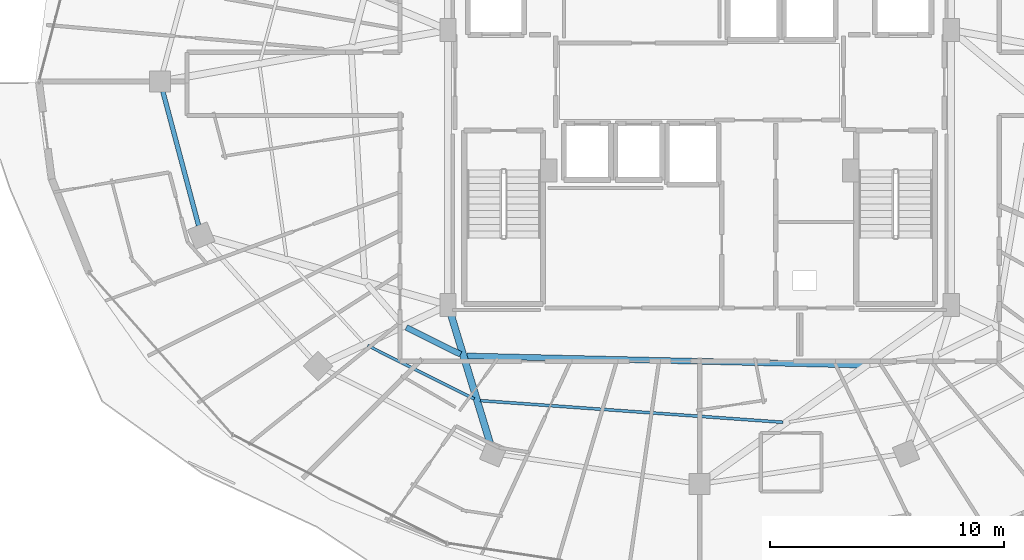
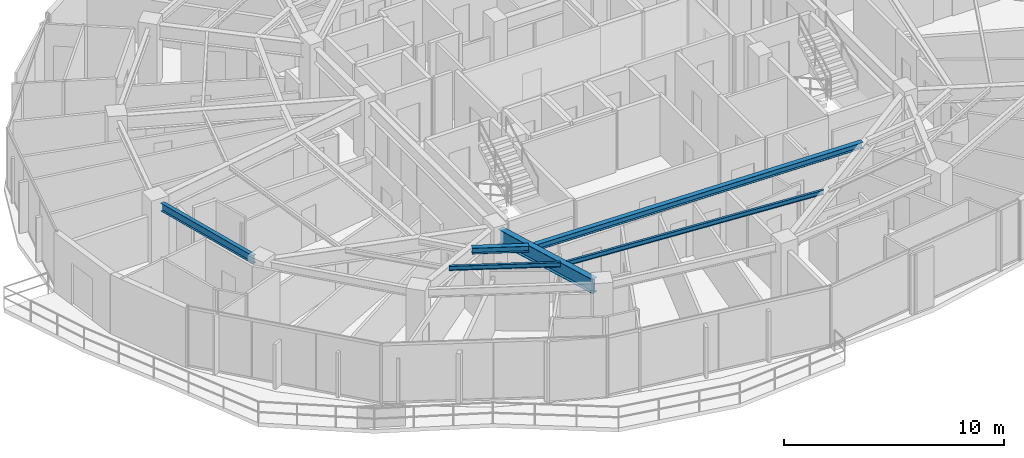
# One storey, part 6 of 32: 6 beams.
"""IFC4 building model written with IfcOpenShell, lengths in metres."""

from ifc_helpers import new_model, si_unit, direction, frame, origin, origin_2d, place, context, subcontext, project, spatial, i_section, extrude, material, material_profile, profile_set, type_object, element, save


model = new_model("IFC4")

# Units and contexts
model_context = context("Model", 3, precision=1e-05, world=origin(), true_north=direction((0.0, 1.0)))
body_context = subcontext(model_context, "Body", "Model", "MODEL_VIEW")
ifc_project = project(units=[si_unit("LENGTHUNIT", "METRE"), si_unit("AREAUNIT", "SQUARE_METRE"), si_unit("VOLUMEUNIT", "CUBIC_METRE"), si_unit("PLANEANGLEUNIT", "RADIAN"), si_unit("MASSUNIT", "GRAM", prefix="KILO")], contexts=[model_context])

# Site, building, storey
site_placement = place(None, origin())
site = spatial("IfcSite", under=ifc_project, at=site_placement, CompositionType="ELEMENT")
building_placement = place(site_placement, origin())
building = spatial("IfcBuilding", under=site, at=building_placement, Name="Vorneva Point Tower", CompositionType="ELEMENT")
storey_placement = place(building_placement, frame((0.0, 0.0, 207.199951171875)))
storey = spatial("IfcBuildingStorey", under=building, at=storey_placement, Name="L56", CompositionType="ELEMENT", Elevation=207.199951171875)

# Beams
ifc_material = material(Name="Steel S355", Category="steel")
ifc_material_profile_1 = material_profile(ifc_material, i_section(OverallWidth=0.300048828125, OverallDepth=0.7880859375, WebThickness=0.014404296875, FlangeThickness=0.02197265625, at=origin_2d()), Name="80Sh1")
ifc_profile_set_1 = profile_set([ifc_material_profile_1], Name="Steel S355")
beam_type_1 = type_object("IfcBeamType", Name="BM-GRD-80Sh1", PredefinedType="USERDEFINED", material=ifc_profile_set_1)
beam_1_placement = place(storey_placement, frame((29.051513671875, 10.5283203125, 2.89599609375), z_axis=(-0.291025429135, 0.956715317948, 0.0), x_axis=(-0.956715317948, -0.291025429135, 0.0)))
element("IfcBeam", 1, at=beam_1_placement, inside=storey, type_object=beam_type_1, Name="L56 Radial Primary Girder 12", ObjectType="GIRDER", PredefinedType="USERDEFINED", context=body_context, shape_type="SweptSolid", body=[
    extrude(i_section(OverallWidth=0.300048828125, OverallDepth=0.7880859375, WebThickness=0.014404296875, FlangeThickness=0.02197265625, at=origin_2d()), origin(), (0.0, 0.0, 1.0), 5.849609375),
])
ifc_material_profile_2 = material_profile(ifc_material, i_section(OverallWidth=0.1240234375, OverallDepth=0.248046875, WebThickness=0.0048828125, FlangeThickness=0.008056640625, at=origin_2d()), Name="25B1")
ifc_profile_set_2 = profile_set([ifc_material_profile_2], Name="Steel S355")
beam_type_2 = type_object("IfcBeamType", Name="BM-JST-25B1", PredefinedType="JOIST", material=ifc_profile_set_2)
beam_2_placement = place(storey_placement, frame((23.819580078125, 14.715087890625, 3.166015625), z_axis=(0.894062048445, -0.447943136493, 0.0), x_axis=(0.447943136493, 0.894062048445, 0.0)))
element("IfcBeam", 2, at=beam_2_placement, inside=storey, type_object=beam_type_2, Name="L56 Secondary Floor Beam 1.11", PredefinedType="JOIST", context=body_context, shape_type="SweptSolid", body=[
    extrude(i_section(OverallWidth=0.1240234375, OverallDepth=0.248046875, WebThickness=0.0048828125, FlangeThickness=0.008056640625, at=origin_2d()), origin(), (0.0, 0.0, 1.0), 5.085693359375),
])
beam_3_placement = place(storey_placement, frame((28.62744140625, 12.365234375, 3.166015625), z_axis=(0.997446639942, -0.071415687826, 0.0), x_axis=(0.071415687826, 0.997446639942, 0.0)))
element("IfcBeam", 3, at=beam_3_placement, inside=storey, type_object=beam_type_2, Name="L56 Secondary Floor Beam 1.12", PredefinedType="JOIST", context=body_context, shape_type="SweptSolid", body=[
    extrude(i_section(OverallWidth=0.1240234375, OverallDepth=0.248046875, WebThickness=0.0048828125, FlangeThickness=0.008056640625, at=origin_2d()), origin(), (0.0, 0.0, 1.0), 12.96337890625),
])
ifc_material_profile_3 = material_profile(ifc_material, i_section(OverallWidth=0.2490234375, OverallDepth=0.333984375, WebThickness=0.008056640625, FlangeThickness=0.010986328125, at=origin_2d()), Name="35Sh1")
ifc_profile_set_3 = profile_set([ifc_material_profile_3], Name="Steel S355")
beam_type_3 = type_object("IfcBeamType", Name="BM-SEC-35Sh1", PredefinedType="BEAM", material=ifc_profile_set_3)
beam_4_placement = place(storey_placement, frame((25.46728515625, 15.4912109375, 3.123046875), z_axis=(0.895686614841, -0.444685830666, 0.0), x_axis=(0.444685830666, 0.895686614841, 0.0)))
element("IfcBeam", 4, at=beam_4_placement, inside=storey, type_object=beam_type_3, Name="L56 Secondary Floor Beam 2.11", PredefinedType="BEAM", context=body_context, shape_type="SweptSolid", body=[
    extrude(i_section(OverallWidth=0.2490234375, OverallDepth=0.333984375, WebThickness=0.008056640625, FlangeThickness=0.010986328125, at=origin_2d()), origin(), (0.0, 0.0, 1.0), 2.59033203125),
])
beam_5_placement = place(storey_placement, frame((28.048828125, 14.274658203125, 3.123046875), z_axis=(0.999729817737, -0.023244171913, 0.0), x_axis=(0.023244171913, 0.999729817737, 0.0)))
element("IfcBeam", 5, at=beam_5_placement, inside=storey, type_object=beam_type_3, Name="L56 Secondary Floor Beam 2.12", PredefinedType="BEAM", context=body_context, shape_type="SweptSolid", body=[
    extrude(i_section(OverallWidth=0.2490234375, OverallDepth=0.333984375, WebThickness=0.008056640625, FlangeThickness=0.010986328125, at=origin_2d()), origin(), (0.0, 0.0, 1.0), 16.952392578125),
])
ifc_material_profile_4 = material_profile(ifc_material, i_section(OverallWidth=0.198974609375, OverallDepth=0.446044921875, WebThickness=0.008056640625, FlangeThickness=0.011962890625, at=origin_2d()), Name="45B1")
ifc_profile_set_4 = profile_set([ifc_material_profile_4], Name="Steel S355")
beam_type_4 = type_object("IfcBeamType", Name="BM-SPN-45B1", PredefinedType="SPANDREL", material=ifc_profile_set_4)
beam_6_placement = place(storey_placement, frame((15.06201171875, 25.57958984375, 3.067138671875), z_axis=(0.257578258003, -0.966257440336, 0.0), x_axis=(0.966257440336, 0.257578258003, 0.0)))
element("IfcBeam", 6, at=beam_6_placement, inside=storey, type_object=beam_type_4, Name="L56 Perimeter Spandrel Ring Beam 09", PredefinedType="SPANDREL", context=body_context, shape_type="SweptSolid", body=[
    extrude(i_section(OverallWidth=0.198974609375, OverallDepth=0.446044921875, WebThickness=0.008056640625, FlangeThickness=0.011962890625, at=origin_2d()), origin(), (0.0, 0.0, 1.0), 5.94189453125),
])

save(model, "model.ifc")
